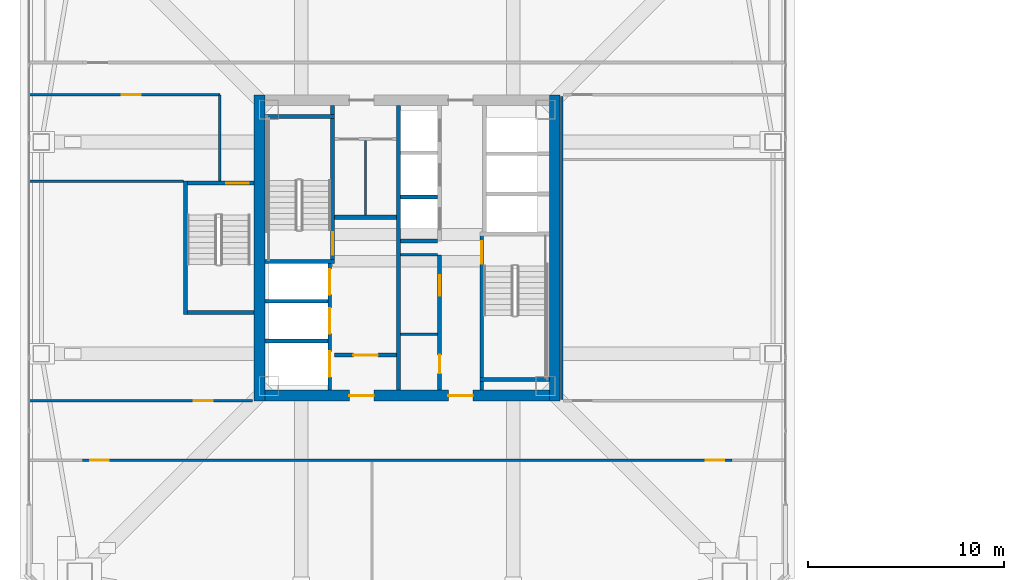
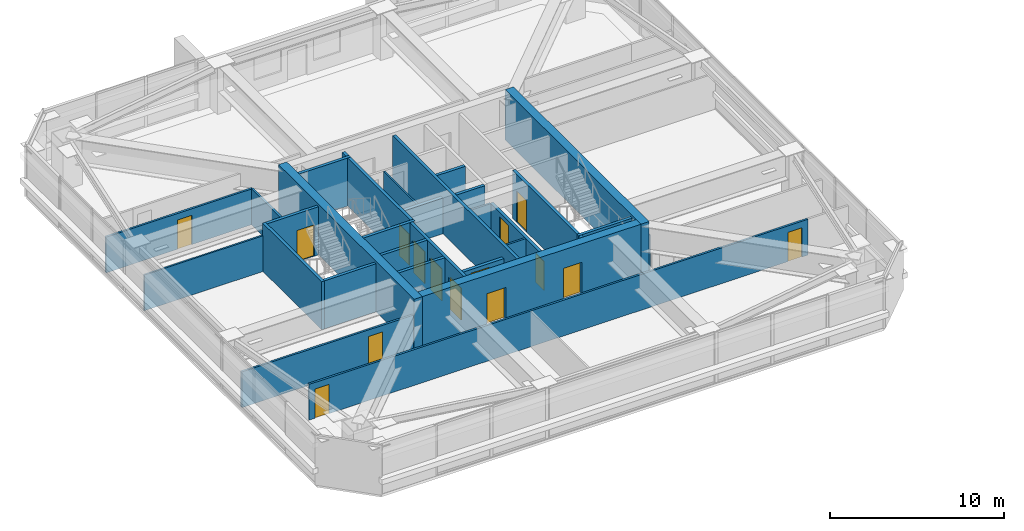
# One storey, part 32 of 42: 29 walls, 15 doors, 15 openings.
"""IFC4 building model written with IfcOpenShell, lengths in metres."""

import ifcopenshell
import ifcopenshell.guid

model = None  # the IFC model being written
_history = None  # IfcOwnerHistory: only IFC2X3 demands one
_inside = {}  # id of a spatial element -> (the spatial element, [elements in it])
_under = {}  # id of a project, library or spatial element -> (it, [spatial elements below it])
_declared = {}  # id of a project -> (the project, [libraries it declares])
_typed = {}  # id of a type object -> (the type object, [elements of that type])
_made_of = {}  # id of a material, layer set ... -> (it, [elements and type objects made of it])


def new_model(schema):
    """Start an empty IFC model of exactly this schema.

    Asked for "IFC4X3", IfcOpenShell would pick the latest addendum, in which some entities
    have other attributes; the version numbers below select the first issue.
    IFC2X3 requires an IfcOwnerHistory on every rooted entity: one is made here for all.
    """
    global model, _history
    if schema == "IFC4X3":
        model = ifcopenshell.file(schema_version=(4, 3, 0, 0))
    else:
        model = ifcopenshell.file(schema=schema)
    _inside.clear()
    _under.clear()
    _declared.clear()
    _typed.clear()
    _made_of.clear()
    _history = None
    if model.schema == "IFC2X3":
        org = make("IfcOrganization", Name="unknown")
        user = make(
            "IfcPersonAndOrganization",
            ThePerson=make("IfcPerson", FamilyName="unknown"),
            TheOrganization=org,
        )
        app = make(
            "IfcApplication",
            ApplicationDeveloper=org,
            Version="unknown",
            ApplicationFullName="unknown",
            ApplicationIdentifier="unknown",
        )
        _history = make(
            "IfcOwnerHistory",
            OwningUser=user,
            OwningApplication=app,
            ChangeAction="ADDED",
            CreationDate=0,
        )
    return model


def make(cls, **values):
    """One entity of the class cls with the attributes given. An attribute that is None is left unset."""
    return model.create_entity(
        cls, **{name: value for name, value in values.items() if value is not None}
    )


def rooted(cls, **values):
    """An entity with a GlobalId (a new one), such as an element, a storey or a relation."""
    return make(cls, GlobalId=ifcopenshell.guid.new(), OwnerHistory=_history, **values)


def si_unit(unit_type, name, prefix=None):
    """IfcSIUnit, for example si_unit("LENGTHUNIT", "METRE", prefix="MILLI")."""
    return make("IfcSIUnit", UnitType=unit_type, Prefix=prefix, Name=name)


def assignment(units):
    """IfcUnitAssignment: the units of a project."""
    return None if units is None else make("IfcUnitAssignment", Units=units)


def point(xyz):
    """IfcCartesianPoint."""
    return None if xyz is None else make("IfcCartesianPoint", Coordinates=xyz)


def direction(xyz):
    """IfcDirection."""
    return None if xyz is None else make("IfcDirection", DirectionRatios=xyz)


def frame(location, z_axis=None, x_axis=None):
    """IfcAxis2Placement3D, a coordinate frame: its origin and axes. An axis left out is left unset."""
    return make(
        "IfcAxis2Placement3D",
        Location=point(location),
        Axis=direction(z_axis),
        RefDirection=direction(x_axis),
    )


def frame_2d(location, x_axis=None):
    """IfcAxis2Placement2D, a coordinate frame in the plane: its origin and x axis."""
    return make(
        "IfcAxis2Placement2D", Location=point(location), RefDirection=direction(x_axis)
    )


def origin():
    """The frame at (0, 0, 0) with its axes left unset."""
    return frame((0.0, 0.0, 0.0))


def place(relative_to, where):
    """IfcLocalPlacement: puts the frame where relative to a parent placement (None: the world)."""
    return make(
        "IfcLocalPlacement", PlacementRelTo=relative_to, RelativePlacement=where
    )


def context(
    kind, dimensions, precision=None, world=None, true_north=None, identifier=None
):
    """IfcGeometricRepresentationContext, for example the 3D "Model" context."""
    return make(
        "IfcGeometricRepresentationContext",
        ContextIdentifier=identifier,
        ContextType=kind,
        CoordinateSpaceDimension=dimensions,
        Precision=precision,
        WorldCoordinateSystem=world,
        TrueNorth=true_north,
    )


def subcontext(parent, identifier, kind, view, scale=None):
    """IfcGeometricRepresentationSubContext, for example "Body" below "Model"."""
    return make(
        "IfcGeometricRepresentationSubContext",
        ContextIdentifier=identifier,
        ContextType=kind,
        ParentContext=parent,
        TargetScale=scale,
        TargetView=view,
    )


def project(units=None, contexts=None):
    """IfcProject with its units and contexts."""
    return rooted(
        "IfcProject",
        Name="project",
        RepresentationContexts=contexts,
        UnitsInContext=assignment(units),
    )


def spatial(cls, under=None, at=None, **own):
    """A site, building, storey or space (cls), placed at a placement, below another one or the project."""
    s = rooted(cls, ObjectPlacement=at, **own)
    if under is not None:
        _under.setdefault(under.id(), (under, []))[1].append(s)
    return s


def profile(cls, at=None, kind="AREA", **sizes):
    """A parametric profile (cls). Its sizes go by their IFC names, for example OverallWidth=200.0."""
    return make(cls, ProfileType=kind, Position=at, **sizes)


def rectangle(**sizes):
    """IfcRectangleProfileDef."""
    return profile("IfcRectangleProfileDef", **sizes)


def extrude(swept, where, along, depth):
    """IfcExtrudedAreaSolid: the profile swept, set in the frame where, extruded along a direction by depth."""
    return make(
        "IfcExtrudedAreaSolid",
        SweptArea=swept,
        Position=where,
        ExtrudedDirection=direction(along),
        Depth=depth,
    )


def shape(context_of_items, identifier, shape_type, items):
    """IfcShapeRepresentation: the items that make up one representation, for example the "Body"."""
    return make(
        "IfcShapeRepresentation",
        ContextOfItems=context_of_items,
        RepresentationIdentifier=identifier,
        RepresentationType=shape_type,
        Items=items,
    )


def material(Name=None, Category=None):
    """IfcMaterial."""
    return make("IfcMaterial", Name=Name, Category=Category)


def layer(
    of_material, thickness, ventilated=None, Name=None, Category=None, Priority=None
):
    """IfcMaterialLayer: one layer of a wall or slab, of a material (None: an air gap)."""
    return make(
        "IfcMaterialLayer",
        Material=of_material,
        LayerThickness=thickness,
        IsVentilated=ventilated,
        Name=Name,
        Category=Category,
        Priority=Priority,
    )


def layer_set(layers, Name=None):
    """IfcMaterialLayerSet."""
    return make("IfcMaterialLayerSet", MaterialLayers=layers, LayerSetName=Name)


def made_of(thing, what):
    """Note that an element or type object is made of a material, layer set ...; save() writes the relation."""
    if what is not None:
        _made_of.setdefault(what.id(), (what, []))[1].append(thing)
    return thing


def type_object(cls, material=None, **own):
    """A type object (cls), such as IfcWallType, which elements share."""
    return made_of(rooted(cls, **own), material)


def element(
    cls,
    number,
    at=None,
    inside=None,
    cuts=None,
    type_object=None,
    material=None,
    context=None,
    identifier="Body",
    shape_type=None,
    held_by="IfcProductDefinitionShape",
    body=None,
    shapes=None,
    **own,
):
    """One element of the class cls, such as IfcWall. Its Tag is "e" and its number.

    at: its placement. inside: the storey or other place that contains it. cuts: it is an
    opening in that element (IfcRelVoidsElement). A single representation is given by context,
    identifier, shape_type and body (its items); several are given by shapes. held_by: the class
    of the entity that holds the representations. save() writes the other relations.
    """
    e = rooted(cls, Tag="e%d" % number, ObjectPlacement=at, **own)
    if body is not None:
        shapes = [shape(context, identifier, shape_type, body)]
    if shapes is not None:
        e.Representation = make(held_by, Representations=shapes)
    if inside is not None:
        _inside.setdefault(inside.id(), (inside, []))[1].append(e)
    if cuts is not None:
        rooted(
            "IfcRelVoidsElement", RelatingBuildingElement=cuts, RelatedOpeningElement=e
        )
    if type_object is not None:
        _typed.setdefault(type_object.id(), (type_object, []))[1].append(e)
    return made_of(e, material)


def fill(opening, filler):
    """IfcRelFillsElement: the door or window that sits in an opening."""
    return rooted(
        "IfcRelFillsElement",
        RelatingOpeningElement=opening,
        RelatedBuildingElement=filler,
    )


def aggregate(whole, parts):
    """IfcRelAggregates: a whole, such as a stair, and the parts it consists of."""
    return rooted("IfcRelAggregates", RelatingObject=whole, RelatedObjects=parts)


def save(model, path):
    """Write the relations noted so far, then the file.

    IfcRelAggregates (storeys below a building ...), IfcRelContainedInSpatialStructure (elements
    in a storey), IfcRelDefinesByType, IfcRelAssociatesMaterial and IfcRelDeclares: one each for
    every whole, place, type object, material and project.
    """
    for whole, parts in _under.values():
        aggregate(whole, parts)
    for where, things in _inside.values():
        rooted(
            "IfcRelContainedInSpatialStructure",
            RelatedElements=things,
            RelatingStructure=where,
        )
    for kind, things in _typed.values():
        rooted("IfcRelDefinesByType", RelatedObjects=things, RelatingType=kind)
    for what, things in _made_of.values():
        rooted("IfcRelAssociatesMaterial", RelatedObjects=things, RelatingMaterial=what)
    for by, libraries in _declared.values():
        rooted("IfcRelDeclares", RelatingContext=by, RelatedDefinitions=libraries)
    model.write(path)


model = new_model("IFC4")

# Units and contexts
model_context = context("Model", 3, precision=1e-05, world=origin(), true_north=direction((0.0, 1.0)))
body_context = subcontext(model_context, "Body", "Model", "MODEL_VIEW")
ifc_project = project(units=[si_unit("LENGTHUNIT", "METRE"), si_unit("AREAUNIT", "SQUARE_METRE"), si_unit("VOLUMEUNIT", "CUBIC_METRE"), si_unit("PLANEANGLEUNIT", "RADIAN"), si_unit("MASSUNIT", "GRAM", prefix="KILO")], contexts=[model_context])

# Site, building, storey
site_placement = place(None, origin())
site = spatial("IfcSite", under=ifc_project, at=site_placement, CompositionType="ELEMENT")
building_placement = place(site_placement, origin())
building = spatial("IfcBuilding", under=site, at=building_placement, Name="Tashvorn Skyway Center", CompositionType="ELEMENT")
storey_placement = place(building_placement, frame((0.0, 0.0, 153.449951171875)))
storey = spatial("IfcBuildingStorey", under=building, at=storey_placement, Name="L41", CompositionType="ELEMENT", Elevation=153.449951171875)

# Walls
ifc_material_1 = material(Name="Concrete C60/75", Category="concrete")
ifc_layer_1 = layer(ifc_material_1, 0.550048828125)
ifc_layer_set_1 = layer_set([ifc_layer_1], Name="Concrete C60/75")
wall_type_1 = type_object("IfcWallType", Name="WALL-CORE-550", PredefinedType="SHEAR", material=ifc_layer_set_1)
for number, where, z_axis, x_axis, name in (
    (1, (34.47509765625, 24.199951171875, 0.0), (0.0, 0.0, 1.0), (0.0, 1.0, 0.0), "Tower 1 L41 West Core Shear Wall"),
    (2, (49.52490234375, 39.800048828125, 0.0), (0.0, 0.0, 1.0), (0.0, -1.0, 0.0), "Tower 1 L41 East Core Shear Wall"),
):
    element("IfcWall", number, at=place(storey_placement, frame(where, z_axis=z_axis, x_axis=x_axis)), inside=storey, type_object=wall_type_1, Name=name, PredefinedType="SHEAR", context=body_context, shape_type="SweptSolid", body=[
        extrude(rectangle(XDim=15.60009765625, YDim=0.550048828125, at=frame_2d((7.800048828125, 0.0))), origin(), (0.0, 0.0, 1.0), 3.550048828125),
    ])

# Wall, openings, doors
wall_1_placement = place(storey_placement, frame((49.25, 24.47509765625, 0.0), z_axis=(0.0, 0.0, 1.0), x_axis=(-1.0, 0.0, 0.0)))
wall_1 = element("IfcWall", 3, at=wall_1_placement, inside=storey, type_object=wall_type_1, Name="Tower 1 L41 South Core Shear Wall", PredefinedType="SHEAR", context=body_context, shape_type="SweptSolid", body=[
    extrude(rectangle(XDim=14.5, YDim=0.550048828125, at=frame_2d((7.25, 0.0))), origin(), (0.0, 0.0, 1.0), 3.550048828125),
])
opening_1_placement = place(wall_1_placement, frame((8.949951171875, 0.0, 0.0)))
opening_1 = element("IfcOpeningElement", 4, at=opening_1_placement, cuts=wall_1, Name="Opening D-FFL-1250", PredefinedType="OPENING", context=body_context, shape_type="SweptSolid", body=[
    extrude(rectangle(XDim=1.25, YDim=2.25, at=frame_2d((0.625, 1.125))), frame((0.0, 0.284912109375, 0.0), z_axis=(0.0, -1.0, 0.0), x_axis=(1.0, 0.0, 0.0)), (0.0, 0.0, 1.0), 0.570068359375),
])
opening_2_placement = place(wall_1_placement, frame((3.89990234375, 0.0, 0.0)))
opening_2 = element("IfcOpeningElement", 5, at=opening_2_placement, cuts=wall_1, Name="Opening D-FFL-1250", PredefinedType="OPENING", context=body_context, shape_type="SweptSolid", body=[
    extrude(rectangle(XDim=1.25, YDim=2.25, at=frame_2d((0.625, 1.125))), frame((0.0, 0.284912109375, 0.0), z_axis=(0.0, -1.0, 0.0), x_axis=(1.0, 0.0, 0.0)), (0.0, 0.0, 1.0), 0.570068359375),
])
ifc_material_2 = material(Name="Hollow galvanized steel fire door assembly", Category="steel")
door_type_1 = type_object("IfcDoorType", Name="DOOR-FFL-1250", OperationType="NOTDEFINED", PredefinedType="DOOR", material=ifc_material_2)
door_1_placement = place(opening_1_placement, origin())
door_1 = element("IfcDoor", 6, at=door_1_placement, inside=storey, type_object=door_type_1, Name="Tower 1 L41 Core South Firefighting Exit Door", OperationType="SINGLE_SWING_LEFT", OverallHeight=2.25, OverallWidth=1.25, PredefinedType="DOOR", context=body_context, shape_type="SweptSolid", body=[
    extrude(rectangle(XDim=1.25, YDim=2.25, at=frame_2d((0.625, 1.125))), frame((0.0, 0.02490234375, 0.0), z_axis=(0.0, -1.0, 0.0), x_axis=(1.0, 0.0, 0.0)), (0.0, 0.0, 1.0), 0.050048828125),
])
fill(opening_1, door_1)
door_2_placement = place(opening_2_placement, origin())
door_2 = element("IfcDoor", 7, at=door_2_placement, inside=storey, type_object=door_type_1, Name="Tower 1 L41 Core South Lift Lobby Door", OperationType="SINGLE_SWING_RIGHT", OverallHeight=2.25, OverallWidth=1.25, PredefinedType="DOOR", context=body_context, shape_type="SweptSolid", body=[
    extrude(rectangle(XDim=1.25, YDim=2.25, at=frame_2d((0.625, 1.125))), frame((0.0, 0.02490234375, 0.0), z_axis=(0.0, -1.0, 0.0), x_axis=(1.0, 0.0, 0.0)), (0.0, 0.0, 1.0), 0.050048828125),
])
fill(opening_2, door_2)

# Wall
ifc_material_3 = material(Name="Concrete C40/50", Category="concrete")
ifc_layer_2 = layer(ifc_material_3, 0.219970703125)
ifc_layer_set_2 = layer_set([ifc_layer_2], Name="Concrete C40/50")
wall_type_2 = type_object("IfcWallType", Name="WALL-FFL-220", PredefinedType="SOLIDWALL", material=ifc_layer_set_2)
wall_2_placement = place(storey_placement, frame((38.300048828125, 33.56005859375, 0.0), z_axis=(0.0, 0.0, 1.0), x_axis=(1.0, 0.0, 0.0)))
element("IfcWall", 8, at=wall_2_placement, inside=storey, type_object=wall_type_2, Name="Tower 1 L41 Firefighting Lobby North Wall", PredefinedType="SOLIDWALL", context=body_context, shape_type="SweptSolid", body=[
    extrude(rectangle(XDim=3.14990234375, YDim=0.219970703125, at=frame_2d((1.574951171875, 0.0))), origin(), (0.0, 0.0, 1.0), 2.512939453125),
])

# Wall, opening, door
wall_3_placement = place(storey_placement, frame((38.300048828125, 26.5400390625, 0.0), z_axis=(0.0, 0.0, 1.0), x_axis=(1.0, 0.0, 0.0)))
wall_3 = element("IfcWall", 9, at=wall_3_placement, inside=storey, type_object=wall_type_2, Name="Tower 1 L41 Firefighting Lobby South Wall", PredefinedType="SOLIDWALL", context=body_context, shape_type="SweptSolid", body=[
    extrude(rectangle(XDim=3.14990234375, YDim=0.219970703125, at=frame_2d((1.574951171875, 0.0))), origin(), (0.0, 0.0, 1.0), 2.512939453125),
])
opening_3_placement = place(wall_3_placement, frame((0.949951171875, 0.0, 0.0)))
opening_3 = element("IfcOpeningElement", 10, at=opening_3_placement, cuts=wall_3, Name="Opening D-FFL-1250", PredefinedType="OPENING", context=body_context, shape_type="SweptSolid", body=[
    extrude(rectangle(XDim=1.25, YDim=2.25, at=frame_2d((0.625, 1.125))), frame((0.0, 0.119873046875, 0.0), z_axis=(0.0, -1.0, 0.0), x_axis=(1.0, 0.0, 0.0)), (0.0, 0.0, 1.0), 0.239990234375),
])
door_3_placement = place(opening_3_placement, origin())
door_3 = element("IfcDoor", 11, at=door_3_placement, inside=storey, type_object=door_type_1, Name="Tower 1 L41 Firefighting Lobby Egress Door", OperationType="SINGLE_SWING_LEFT", OverallHeight=2.25, OverallWidth=1.25, PredefinedType="DOOR", context=body_context, shape_type="SweptSolid", body=[
    extrude(rectangle(XDim=1.25, YDim=2.25, at=frame_2d((0.625, 1.125))), frame((0.0, 0.02490234375, 0.0), z_axis=(0.0, -1.0, 0.0), x_axis=(1.0, 0.0, 0.0)), (0.0, 0.0, 1.0), 0.050048828125),
])
fill(opening_3, door_3)

# Walls
ifc_material_4 = material(Name="Gypsum board on cold-formed steel stud framing", Category="steel")
ifc_layer_3 = layer(ifc_material_4, 0.110107421875)
ifc_layer_set_3 = layer_set([ifc_layer_3], Name="Gypsum board on cold-formed steel stud framing")
wall_type_3 = type_object("IfcWallType", Name="WALL-PART-110", PredefinedType="PARTITIONING", material=ifc_layer_set_3)
wall_4_placement = place(storey_placement, frame((30.60009765625, 35.39990234375, 0.0), z_axis=(0.0, 0.0, 1.0), x_axis=(-1.0, 0.0, 0.0)))
element("IfcWall", 12, at=wall_4_placement, inside=storey, type_object=wall_type_3, Name="Tower 1 L41 West Suite Partition 1", PredefinedType="PARTITIONING", context=body_context, shape_type="SweptSolid", body=[
    extrude(rectangle(XDim=7.880126953125, YDim=0.110107421875, at=frame_2d((3.93994140625, 0.0))), origin(), (0.0, 0.0, 1.0), 2.512939453125),
])
ifc_layer_4 = layer(ifc_material_4, 0.135009765625)
ifc_layer_set_4 = layer_set([ifc_layer_4], Name="Gypsum board on cold-formed steel stud framing")
wall_type_4 = type_object("IfcWallType", Name="WALL-PART-135", PredefinedType="PARTITIONING", material=ifc_layer_set_4)
wall_5_placement = place(storey_placement, frame((32.449951171875, 35.39990234375, 0.0), z_axis=(0.0, 0.0, 1.0), x_axis=(0.0, 1.0, 0.0)))
element("IfcWall", 13, at=wall_5_placement, inside=storey, type_object=wall_type_4, Name="Tower 1 L41 Stair 3 Access Corridor Wall", PredefinedType="PARTITIONING", context=body_context, shape_type="SweptSolid", body=[
    extrude(rectangle(XDim=4.400146484375, YDim=0.135009765625, at=frame_2d((2.2001953125, 0.0))), origin(), (0.0, 0.0, 1.0), 2.512939453125),
])

# Wall, openings, doors
wall_6_placement = place(storey_placement, frame((58.550048828125, 21.179931640625, 0.0), z_axis=(0.0, 0.0, 1.0), x_axis=(-1.0, 0.0, 0.0)))
wall_6 = element("IfcWall", 14, at=wall_6_placement, inside=storey, type_object=wall_type_4, Name="Tower 1 L41 South Suite Wall", PredefinedType="PARTITIONING", context=body_context, shape_type="SweptSolid", body=[
    extrude(rectangle(XDim=33.10009765625, YDim=0.135009765625, at=frame_2d((16.550048828125, 0.0))), origin(), (0.0, 0.0, 1.0), 2.512939453125),
])
opening_4_placement = place(wall_6_placement, frame((31.77001953125, 0.0, 0.0)))
opening_4 = element("IfcOpeningElement", 15, at=opening_4_placement, cuts=wall_6, Name="Opening D-INT-950", PredefinedType="OPENING", context=body_context, shape_type="SweptSolid", body=[
    extrude(rectangle(XDim=0.949951171875, YDim=2.050048828125, at=frame_2d((0.47509765625, 1.02490234375))), frame((0.0, 0.077392578125, 0.0), z_axis=(0.0, -1.0, 0.0), x_axis=(1.0, 0.0, 0.0)), (0.0, 0.0, 1.0), 0.155029296875),
])
opening_5_placement = place(wall_6_placement, frame((0.3798828125, 0.0, 0.0)))
opening_5 = element("IfcOpeningElement", 16, at=opening_5_placement, cuts=wall_6, Name="Opening D-INT-950", PredefinedType="OPENING", context=body_context, shape_type="SweptSolid", body=[
    extrude(rectangle(XDim=0.949951171875, YDim=2.050048828125, at=frame_2d((0.47509765625, 1.02490234375))), frame((0.0, 0.077392578125, 0.0), z_axis=(0.0, -1.0, 0.0), x_axis=(1.0, 0.0, 0.0)), (0.0, 0.0, 1.0), 0.155029296875),
])
ifc_material_5 = material(Name="Solid-core architectural oak veneer door")
door_type_2 = type_object("IfcDoorType", Name="DOOR-INT-950", OperationType="NOTDEFINED", PredefinedType="DOOR", material=ifc_material_5)
door_4_placement = place(opening_4_placement, origin())
door_4 = element("IfcDoor", 17, at=door_4_placement, inside=storey, type_object=door_type_2, Name="Tower 1 L41 Executive Suite Door", OperationType="SINGLE_SWING_LEFT", OverallHeight=2.050048828125, OverallWidth=0.949951171875, PredefinedType="DOOR", context=body_context, shape_type="SweptSolid", body=[
    extrude(rectangle(XDim=0.949951171875, YDim=2.050048828125, at=frame_2d((0.47509765625, 1.02490234375))), frame((0.0, 0.02490234375, 0.0), z_axis=(0.0, -1.0, 0.0), x_axis=(1.0, 0.0, 0.0)), (0.0, 0.0, 1.0), 0.050048828125),
])
fill(opening_4, door_4)
door_5_placement = place(opening_5_placement, origin())
door_5 = element("IfcDoor", 18, at=door_5_placement, inside=storey, type_object=door_type_2, Name="Tower 1 L41 Design Studio Door", OperationType="SINGLE_SWING_RIGHT", OverallHeight=2.050048828125, OverallWidth=0.949951171875, PredefinedType="DOOR", context=body_context, shape_type="SweptSolid", body=[
    extrude(rectangle(XDim=0.949951171875, YDim=2.050048828125, at=frame_2d((0.47509765625, 1.02490234375))), frame((0.0, 0.02490234375, 0.0), z_axis=(0.0, -1.0, 0.0), x_axis=(1.0, 0.0, 0.0)), (0.0, 0.0, 1.0), 0.050048828125),
])
fill(opening_5, door_5)

# Wall
wall_7_placement = place(storey_placement, frame((49.8798828125, 39.719970703125, 0.0), z_axis=(0.0, 0.0, 1.0), x_axis=(0.0, -1.0, 0.0)))
element("IfcWall", 19, at=wall_7_placement, inside=storey, type_object=wall_type_4, Name="Tower 1 L41 East Inner Suite Wall", PredefinedType="PARTITIONING", context=body_context, shape_type="SweptSolid", body=[
    extrude(rectangle(XDim=15.43994140625, YDim=0.135009765625, at=frame_2d((7.719970703125, 0.0))), origin(), (0.0, 0.0, 1.0), 2.512939453125),
])

# Wall, opening, door
wall_8_placement = place(storey_placement, frame((32.449951171875, 39.800048828125, 0.0), z_axis=(0.0, 0.0, 1.0), x_axis=(-1.0, 0.0, 0.0)))
wall_8 = element("IfcWall", 20, at=wall_8_placement, inside=storey, type_object=wall_type_4, Name="Tower 1 L41 West Suite North Wall", PredefinedType="PARTITIONING", context=body_context, shape_type="SweptSolid", body=[
    extrude(rectangle(XDim=9.72998046875, YDim=0.135009765625, at=frame_2d((4.864990234375, 0.0))), origin(), (0.0, 0.0, 1.0), 2.512939453125),
])
opening_6_placement = place(wall_8_placement, frame((4.0400390625, 0.0, 0.0)))
opening_6 = element("IfcOpeningElement", 21, at=opening_6_placement, cuts=wall_8, Name="Opening D-INT-950", PredefinedType="OPENING", context=body_context, shape_type="SweptSolid", body=[
    extrude(rectangle(XDim=0.949951171875, YDim=2.050048828125, at=frame_2d((0.47509765625, 1.02490234375))), frame((0.0, 0.077392578125, 0.0), z_axis=(0.0, -1.0, 0.0), x_axis=(1.0, 0.0, 0.0)), (0.0, 0.0, 1.0), 0.155029296875),
])
door_6_placement = place(opening_6_placement, origin())
door_6 = element("IfcDoor", 22, at=door_6_placement, inside=storey, type_object=door_type_2, Name="Tower 1 L41 Security Control Room Door", OperationType="SINGLE_SWING_LEFT", OverallHeight=2.050048828125, OverallWidth=0.949951171875, PredefinedType="DOOR", context=body_context, shape_type="SweptSolid", body=[
    extrude(rectangle(XDim=0.949951171875, YDim=2.050048828125, at=frame_2d((0.47509765625, 1.02490234375))), frame((0.0, 0.02490234375, 0.0), z_axis=(0.0, -1.0, 0.0), x_axis=(1.0, 0.0, 0.0)), (0.0, 0.0, 1.0), 0.050048828125),
])
fill(opening_6, door_6)

wall_9_placement = place(storey_placement, frame((22.719970703125, 24.199951171875, 0.0), z_axis=(0.0, 0.0, 1.0), x_axis=(1.0, 0.0, 0.0)))
wall_9 = element("IfcWall", 23, at=wall_9_placement, inside=storey, type_object=wall_type_4, Name="Tower 1 L41 West Suite South Wall", PredefinedType="PARTITIONING", context=body_context, shape_type="SweptSolid", body=[
    extrude(rectangle(XDim=11.400146484375, YDim=0.135009765625, at=frame_2d((5.7001953125, 0.0))), origin(), (0.0, 0.0, 1.0), 2.512939453125),
])
opening_7_placement = place(wall_9_placement, frame((8.405029296875, 0.0, 0.0)))
opening_7 = element("IfcOpeningElement", 24, at=opening_7_placement, cuts=wall_9, Name="Opening D-INT-950", PredefinedType="OPENING", context=body_context, shape_type="SweptSolid", body=[
    extrude(rectangle(XDim=0.949951171875, YDim=2.050048828125, at=frame_2d((0.47509765625, 1.02490234375))), frame((0.0, 0.077392578125, 0.0), z_axis=(0.0, -1.0, 0.0), x_axis=(1.0, 0.0, 0.0)), (0.0, 0.0, 1.0), 0.155029296875),
])
door_7_placement = place(opening_7_placement, origin())
door_7 = element("IfcDoor", 25, at=door_7_placement, inside=storey, type_object=door_type_2, Name="Tower 1 L41 Public Restroom Door", OperationType="SINGLE_SWING_RIGHT", OverallHeight=2.050048828125, OverallWidth=0.949951171875, PredefinedType="DOOR", context=body_context, shape_type="SweptSolid", body=[
    extrude(rectangle(XDim=0.949951171875, YDim=2.050048828125, at=frame_2d((0.47509765625, 1.02490234375))), frame((0.0, 0.02490234375, 0.0), z_axis=(0.0, -1.0, 0.0), x_axis=(1.0, 0.0, 0.0)), (0.0, 0.0, 1.0), 0.050048828125),
])
fill(opening_7, door_7)

# Walls
ifc_layer_5 = layer(ifc_material_4, 0.110107421875)
ifc_layer_set_5 = layer_set([ifc_layer_5], Name="Gypsum board on cold-formed steel stud framing")
wall_type_5 = type_object("IfcWallType", Name="WALL-RATED-110", PredefinedType="PARTITIONING", material=ifc_layer_set_5)
wall_10_placement = place(storey_placement, frame((39.8798828125, 33.679931640625, 0.0), z_axis=(0.0, 0.0, 1.0), x_axis=(0.0, 1.0, 0.0)))
element("IfcWall", 26, at=wall_10_placement, inside=storey, type_object=wall_type_5, Name="Tower 1 L41 Core Split Partition", PredefinedType="PARTITIONING", context=body_context, shape_type="SweptSolid", body=[
    extrude(rectangle(XDim=3.800048828125, YDim=0.110107421875, at=frame_2d((1.89990234375, 0.0))), origin(), (0.0, 0.0, 1.0), 2.512939453125),
])
ifc_layer_6 = layer(ifc_material_4, 0.135009765625)
ifc_layer_set_6 = layer_set([ifc_layer_6], Name="Gypsum board on cold-formed steel stud framing")
wall_type_6 = type_object("IfcWallType", Name="WALL-RATED-135", PredefinedType="PARTITIONING", material=ifc_layer_set_6)
for number, where, z_axis, x_axis, name in (
    (27, (41.669921875, 31.64990234375, 0.0), (0.0, 0.0, 1.0), (1.0, 0.0, 0.0), "Tower 1 L41 Core Room Partition"),
    (28, (41.669921875, 27.60009765625, 0.0), (0.0, 0.0, 1.0), (1.0, 0.0, 0.0), "Tower 1 L41 Freed Core Partition"),
):
    element("IfcWall", number, at=place(storey_placement, frame(where, z_axis=z_axis, x_axis=x_axis)), inside=storey, type_object=wall_type_6, Name=name, PredefinedType="PARTITIONING", context=body_context, shape_type="SweptSolid", body=[
        extrude(rectangle(XDim=1.880126953125, YDim=0.135009765625, at=frame_2d((0.93994140625, 0.0))), origin(), (0.0, 0.0, 1.0), 2.512939453125),
    ])
ifc_layer_7 = layer(ifc_material_3, 0.199951171875)
ifc_layer_set_7 = layer_set([ifc_layer_7], Name="Concrete C40/50")
wall_type_7 = type_object("IfcWallType", Name="WALL-SHAFT-200", PredefinedType="SOLIDWALL", material=ifc_layer_set_7)
for number, where, z_axis, x_axis, name in (
    (29, (34.75, 27.25, 0.0), (0.0, 0.0, 1.0), (1.0, 0.0, 0.0), "Tower 1 L41 FSAE Shaft Divider"),
    (30, (34.75, 29.280029296875, 0.0), (0.0, 0.0, 1.0), (1.0, 0.0, 0.0), "Tower 1 L41 FSAE Shaft Divider"),
):
    element("IfcWall", number, at=place(storey_placement, frame(where, z_axis=z_axis, x_axis=x_axis)), inside=storey, type_object=wall_type_7, Name=name, PredefinedType="SOLIDWALL", context=body_context, shape_type="SweptSolid", body=[
        extrude(rectangle(XDim=3.199951171875, YDim=0.199951171875, at=frame_2d((1.60009765625, 0.0))), origin(), (0.0, 0.0, 1.0), 3.3701171875),
    ])

# Wall, openings, doors
wall_11_placement = place(storey_placement, frame((43.64990234375, 24.75, 0.0), z_axis=(0.0, 0.0, 1.0), x_axis=(0.0, 1.0, 0.0)))
wall_11 = element("IfcWall", 31, at=wall_11_placement, inside=storey, type_object=wall_type_7, Name="Tower 1 L41 Low-Rise Core Wall", PredefinedType="SOLIDWALL", context=body_context, shape_type="SweptSolid", body=[
    extrude(rectangle(XDim=6.89990234375, YDim=0.199951171875, at=frame_2d((3.449951171875, 0.0))), origin(), (0.0, 0.0, 1.0), 2.512939453125),
])
opening_8_placement = place(wall_11_placement, frame((0.85009765625, 0.0, 0.0)))
opening_8 = element("IfcOpeningElement", 32, at=opening_8_placement, cuts=wall_11, Name="Opening D-RT-950", PredefinedType="OPENING", context=body_context, shape_type="SweptSolid", body=[
    extrude(rectangle(XDim=0.949951171875, YDim=2.050048828125, at=frame_2d((0.47509765625, 1.02490234375))), frame((0.0, 0.10986328125, 0.0), z_axis=(0.0, -1.0, 0.0), x_axis=(1.0, 0.0, 0.0)), (0.0, 0.0, 1.0), 0.219970703125),
])
opening_9_placement = place(wall_11_placement, frame((4.800048828125, 0.0, 0.0)))
opening_9 = element("IfcOpeningElement", 33, at=opening_9_placement, cuts=wall_11, Name="Opening D-RT-1050", PredefinedType="OPENING", context=body_context, shape_type="SweptSolid", body=[
    extrude(rectangle(XDim=1.050048828125, YDim=2.199951171875, at=frame_2d((0.52490234375, 1.10009765625))), frame((0.0, 0.10986328125, 0.0), z_axis=(0.0, -1.0, 0.0), x_axis=(1.0, 0.0, 0.0)), (0.0, 0.0, 1.0), 0.219970703125),
])
door_type_3 = type_object("IfcDoorType", Name="DOOR-RATED-1050", OperationType="NOTDEFINED", PredefinedType="DOOR", material=ifc_material_2)
door_8_placement = place(opening_9_placement, origin())
door_8 = element("IfcDoor", 34, at=door_8_placement, inside=storey, type_object=door_type_3, Name="Tower 1 L41 Freed Core Room Door", OperationType="SINGLE_SWING_RIGHT", OverallHeight=2.199951171875, OverallWidth=1.050048828125, PredefinedType="DOOR", context=body_context, shape_type="SweptSolid", body=[
    extrude(rectangle(XDim=1.050048828125, YDim=2.199951171875, at=frame_2d((0.52490234375, 1.10009765625))), frame((0.0, 0.02490234375, 0.0), z_axis=(0.0, -1.0, 0.0), x_axis=(1.0, 0.0, 0.0)), (0.0, 0.0, 1.0), 0.050048828125),
])
fill(opening_9, door_8)
door_type_4 = type_object("IfcDoorType", Name="DOOR-RATED-950", OperationType="NOTDEFINED", PredefinedType="DOOR", material=ifc_material_2)
door_9_placement = place(opening_8_placement, origin())
door_9 = element("IfcDoor", 35, at=door_9_placement, inside=storey, type_object=door_type_4, Name="Tower 1 L41 Core Print Room Door", OperationType="SINGLE_SWING_LEFT", OverallHeight=2.050048828125, OverallWidth=0.949951171875, PredefinedType="DOOR", context=body_context, shape_type="SweptSolid", body=[
    extrude(rectangle(XDim=0.949951171875, YDim=2.050048828125, at=frame_2d((0.47509765625, 1.02490234375))), frame((0.0, 0.02490234375, 0.0), z_axis=(0.0, -1.0, 0.0), x_axis=(1.0, 0.0, 0.0)), (0.0, 0.0, 1.0), 0.050048828125),
])
fill(opening_8, door_9)

# Walls
for number, where, z_axis, x_axis, name in (
    (36, (41.669921875, 32.35009765625, 0.0), (0.0, 0.0, 1.0), (1.0, 0.0, 0.0), "Tower 1 L41 Mid-Rise Shaft Divider"),
    (37, (41.669921875, 34.60009765625, 0.0), (0.0, 0.0, 1.0), (1.0, 0.0, 0.0), "Tower 1 L41 Mid-Rise Shaft Divider"),
):
    element("IfcWall", number, at=place(storey_placement, frame(where, z_axis=z_axis, x_axis=x_axis)), inside=storey, type_object=wall_type_7, Name=name, PredefinedType="SOLIDWALL", context=body_context, shape_type="SweptSolid", body=[
        extrude(rectangle(XDim=1.880126953125, YDim=0.199951171875, at=frame_2d((0.93994140625, 0.0))), origin(), (0.0, 0.0, 1.0), 3.3701171875),
    ])

# Wall, opening, door
ifc_layer_8 = layer(ifc_material_3, 0.199951171875)
ifc_layer_set_8 = layer_set([ifc_layer_8], Name="Concrete C40/50")
wall_type_8 = type_object("IfcWallType", Name="WALL-STSHF-200", PredefinedType="SHEAR", material=ifc_layer_set_8)
wall_12_placement = place(storey_placement, frame((38.199951171875, 31.199951171875, 0.0), z_axis=(0.0, 0.0, 1.0), x_axis=(0.0, 1.0, 0.0)))
wall_12 = element("IfcWall", 38, at=wall_12_placement, inside=storey, type_object=wall_type_8, Name="Tower 1 L41 Stair 1 Enclosure Wall", PredefinedType="SHEAR", context=body_context, shape_type="SweptSolid", body=[
    extrude(rectangle(XDim=8.050048828125, YDim=0.199951171875, at=frame_2d((4.02490234375, 0.0))), origin(), (0.0, 0.0, 1.0), 3.3701171875),
])
opening_10_placement = place(wall_12_placement, frame((0.449951171875, 0.0, 0.0)))
opening_10 = element("IfcOpeningElement", 39, at=opening_10_placement, cuts=wall_12, Name="Opening D-ST-1150", PredefinedType="OPENING", context=body_context, shape_type="SweptSolid", body=[
    extrude(rectangle(XDim=1.14990234375, YDim=2.199951171875, at=frame_2d((0.574951171875, 1.10009765625))), frame((0.0, 0.10986328125, 0.0), z_axis=(0.0, -1.0, 0.0), x_axis=(1.0, 0.0, 0.0)), (0.0, 0.0, 1.0), 0.219970703125),
])
door_type_5 = type_object("IfcDoorType", Name="DOOR-STAIR-1150", OperationType="NOTDEFINED", PredefinedType="DOOR", material=ifc_material_2)
door_10_placement = place(opening_10_placement, origin())
door_10 = element("IfcDoor", 40, at=door_10_placement, inside=storey, type_object=door_type_5, Name="Tower 1 L41 Exit Stair 1 Door", OperationType="SINGLE_SWING_RIGHT", OverallHeight=2.199951171875, OverallWidth=1.14990234375, PredefinedType="DOOR", context=body_context, shape_type="SweptSolid", body=[
    extrude(rectangle(XDim=1.14990234375, YDim=2.199951171875, at=frame_2d((0.574951171875, 1.10009765625))), frame((0.0, 0.02490234375, 0.0), z_axis=(0.0, -1.0, 0.0), x_axis=(1.0, 0.0, 0.0)), (0.0, 0.0, 1.0), 0.050048828125),
])
fill(opening_10, door_10)

# Walls
for number, where, z_axis, x_axis, name in (
    (41, (34.75, 31.300048828125, 0.0), (0.0, 0.0, 1.0), (1.0, 0.0, 0.0), "Tower 1 L41 Stair 1 South Wall"),
    (42, (34.75, 38.699951171875, 0.0), (0.0, 0.0, 1.0), (1.0, 0.0, 0.0), "Tower 1 L41 Stair 1 North Wall"),
):
    element("IfcWall", number, at=place(storey_placement, frame(where, z_axis=z_axis, x_axis=x_axis)), inside=storey, type_object=wall_type_8, Name=name, PredefinedType="SHEAR", context=body_context, shape_type="SweptSolid", body=[
        extrude(rectangle(XDim=3.550048828125, YDim=0.199951171875, at=frame_2d((1.77490234375, 0.0))), origin(), (0.0, 0.0, 1.0), 3.3701171875),
    ])

# Wall, opening, door
wall_13_placement = place(storey_placement, frame((45.800048828125, 32.800048828125, 0.0), z_axis=(0.0, 0.0, 1.0), x_axis=(0.0, -1.0, 0.0)))
wall_13 = element("IfcWall", 43, at=wall_13_placement, inside=storey, type_object=wall_type_8, Name="Tower 1 L41 Stair 2 Enclosure Wall", PredefinedType="SHEAR", context=body_context, shape_type="SweptSolid", body=[
    extrude(rectangle(XDim=8.050048828125, YDim=0.199951171875, at=frame_2d((4.02490234375, 0.0))), origin(), (0.0, 0.0, 1.0), 3.3701171875),
])
opening_11_placement = place(wall_13_placement, frame((0.449951171875, 0.0, 0.0)))
opening_11 = element("IfcOpeningElement", 44, at=opening_11_placement, cuts=wall_13, Name="Opening D-ST-1150", PredefinedType="OPENING", context=body_context, shape_type="SweptSolid", body=[
    extrude(rectangle(XDim=1.14990234375, YDim=2.199951171875, at=frame_2d((0.574951171875, 1.10009765625))), frame((0.0, 0.10986328125, 0.0), z_axis=(0.0, -1.0, 0.0), x_axis=(1.0, 0.0, 0.0)), (0.0, 0.0, 1.0), 0.219970703125),
])
door_11_placement = place(opening_11_placement, origin())
door_11 = element("IfcDoor", 45, at=door_11_placement, inside=storey, type_object=door_type_5, Name="Tower 1 L41 Exit Stair 2 Door", OperationType="SINGLE_SWING_RIGHT", OverallHeight=2.199951171875, OverallWidth=1.14990234375, PredefinedType="DOOR", context=body_context, shape_type="SweptSolid", body=[
    extrude(rectangle(XDim=1.14990234375, YDim=2.199951171875, at=frame_2d((0.574951171875, 1.10009765625))), frame((0.0, 0.02490234375, 0.0), z_axis=(0.0, -1.0, 0.0), x_axis=(1.0, 0.0, 0.0)), (0.0, 0.0, 1.0), 0.050048828125),
])
fill(opening_11, door_11)

# Walls
wall_14_placement = place(storey_placement, frame((45.699951171875, 25.300048828125, 0.0), z_axis=(0.0, 0.0, 1.0), x_axis=(1.0, 0.0, 0.0)))
element("IfcWall", 46, at=wall_14_placement, inside=storey, type_object=wall_type_8, Name="Tower 1 L41 Stair 2 South Wall", PredefinedType="SHEAR", context=body_context, shape_type="SweptSolid", body=[
    extrude(rectangle(XDim=3.550048828125, YDim=0.199951171875, at=frame_2d((1.77490234375, 0.0))), origin(), (0.0, 0.0, 1.0), 3.3701171875),
])
wall_15_placement = place(storey_placement, frame((41.56005859375, 24.75, 0.0), z_axis=(0.0, 0.0, 1.0), x_axis=(0.0, 1.0, 0.0)))
element("IfcWall", 47, at=wall_15_placement, inside=storey, type_object=wall_type_8, Name="Tower 1 L41 Firefighting Lobby East Smoke Barrier", PredefinedType="SHEAR", context=body_context, shape_type="SweptSolid", body=[
    extrude(rectangle(XDim=14.5, YDim=0.199951171875, at=frame_2d((7.25, 0.0))), origin(), (0.0, 0.0, 1.0), 3.3701171875),
])

# Wall, openings, doors
wall_16_placement = place(storey_placement, frame((38.050048828125, 24.75, 0.0), z_axis=(0.0, 0.0, 1.0), x_axis=(0.0, 1.0, 0.0)))
wall_16 = element("IfcWall", 48, at=wall_16_placement, inside=storey, type_object=wall_type_8, Name="Tower 1 L41 FSAE and Goods Shaft Front Wall", PredefinedType="SHEAR", context=body_context, shape_type="SweptSolid", body=[
    extrude(rectangle(XDim=6.449951171875, YDim=0.199951171875, at=frame_2d((3.22509765625, 0.0))), origin(), (0.0, 0.0, 1.0), 3.3701171875),
])
opening_12_placement = place(wall_16_placement, frame((4.875, 0.0, 0.0)))
opening_12 = element("IfcOpeningElement", 49, at=opening_12_placement, cuts=wall_16, Name="Opening LD-FF-T1-1-L41", PredefinedType="OPENING", context=body_context, shape_type="SweptSolid", body=[
    extrude(rectangle(XDim=1.300048828125, YDim=2.25, at=frame_2d((0.64990234375, 1.125))), frame((0.0, 0.10986328125, 0.0), z_axis=(0.0, -1.0, 0.0), x_axis=(1.0, 0.0, 0.0)), (0.0, 0.0, 1.0), 0.219970703125),
])
opening_13_placement = place(wall_16_placement, frame((2.875, 0.0, 0.0)))
opening_13 = element("IfcOpeningElement", 50, at=opening_13_placement, cuts=wall_16, Name="Opening LD-FF-T1-2-L41", PredefinedType="OPENING", context=body_context, shape_type="SweptSolid", body=[
    extrude(rectangle(XDim=1.300048828125, YDim=2.25, at=frame_2d((0.64990234375, 1.125))), frame((0.0, 0.10986328125, 0.0), z_axis=(0.0, -1.0, 0.0), x_axis=(1.0, 0.0, 0.0)), (0.0, 0.0, 1.0), 0.219970703125),
])
opening_14_placement = place(wall_16_placement, frame((0.675048828125, 0.0, 0.0)))
opening_14 = element("IfcOpeningElement", 51, at=opening_14_placement, cuts=wall_16, Name="Opening LD-GD-T1-1-L41", PredefinedType="OPENING", context=body_context, shape_type="SweptSolid", body=[
    extrude(rectangle(XDim=1.300048828125, YDim=2.25, at=frame_2d((0.64990234375, 1.125))), frame((0.0, 0.10986328125, 0.0), z_axis=(0.0, -1.0, 0.0), x_axis=(1.0, 0.0, 0.0)), (0.0, 0.0, 1.0), 0.219970703125),
])
ifc_material_6 = material(Name="Stainless steel heavy-duty landing door", Category="steel")
door_type_6 = type_object("IfcDoorType", Name="DOOR-LIFT-1300", OperationType="SLIDING_TO_LEFT", PredefinedType="DOOR", material=ifc_material_6)
door_12_placement = place(opening_12_placement, origin())
door_12 = element("IfcDoor", 52, at=door_12_placement, inside=storey, type_object=door_type_6, Name="Lift FF-T1-1 L41 Landing Door", OperationType="SLIDING_TO_LEFT", OverallHeight=2.25, OverallWidth=1.300048828125, PredefinedType="DOOR", context=body_context, shape_type="SweptSolid", body=[
    extrude(rectangle(XDim=1.300048828125, YDim=2.25, at=frame_2d((0.64990234375, 1.125))), frame((0.0, 0.02490234375, 0.0), z_axis=(0.0, -1.0, 0.0), x_axis=(1.0, 0.0, 0.0)), (0.0, 0.0, 1.0), 0.050048828125),
])
fill(opening_12, door_12)
door_13_placement = place(opening_13_placement, origin())
door_13 = element("IfcDoor", 53, at=door_13_placement, inside=storey, type_object=door_type_6, Name="Lift FF-T1-2 L41 Landing Door", OperationType="SLIDING_TO_LEFT", OverallHeight=2.25, OverallWidth=1.300048828125, PredefinedType="DOOR", context=body_context, shape_type="SweptSolid", body=[
    extrude(rectangle(XDim=1.300048828125, YDim=2.25, at=frame_2d((0.64990234375, 1.125))), frame((0.0, 0.02490234375, 0.0), z_axis=(0.0, -1.0, 0.0), x_axis=(1.0, 0.0, 0.0)), (0.0, 0.0, 1.0), 0.050048828125),
])
fill(opening_13, door_13)
door_14_placement = place(opening_14_placement, origin())
door_14 = element("IfcDoor", 54, at=door_14_placement, inside=storey, type_object=door_type_6, Name="Lift GD-T1-1 L41 Landing Door", OperationType="SLIDING_TO_LEFT", OverallHeight=2.25, OverallWidth=1.300048828125, PredefinedType="DOOR", context=body_context, shape_type="SweptSolid", body=[
    extrude(rectangle(XDim=1.300048828125, YDim=2.25, at=frame_2d((0.64990234375, 1.125))), frame((0.0, 0.02490234375, 0.0), z_axis=(0.0, -1.0, 0.0), x_axis=(1.0, 0.0, 0.0)), (0.0, 0.0, 1.0), 0.050048828125),
])
fill(opening_14, door_14)

# Wall
wall_17_placement = place(storey_placement, frame((30.699951171875, 28.60009765625, 0.0), z_axis=(0.0, 0.0, 1.0), x_axis=(0.0, 1.0, 0.0)))
element("IfcWall", 55, at=wall_17_placement, inside=storey, type_object=wall_type_8, Name="Tower 1 L41 Stair 3 Outer Wall", PredefinedType="SHEAR", context=body_context, shape_type="SweptSolid", body=[
    extrude(rectangle(XDim=6.7998046875, YDim=0.199951171875, at=frame_2d((3.39990234375, 0.0))), origin(), (0.0, 0.0, 1.0), 3.3701171875),
])

# Wall, opening, door
wall_18_placement = place(storey_placement, frame((34.199951171875, 35.300048828125, 0.0), z_axis=(0.0, 0.0, 1.0), x_axis=(-1.0, 0.0, 0.0)))
wall_18 = element("IfcWall", 56, at=wall_18_placement, inside=storey, type_object=wall_type_8, Name="Tower 1 L41 Stair 3 Enclosure Wall", PredefinedType="SHEAR", context=body_context, shape_type="SweptSolid", body=[
    extrude(rectangle(XDim=3.39990234375, YDim=0.199951171875, at=frame_2d((1.699951171875, 0.0))), origin(), (0.0, 0.0, 1.0), 3.3701171875),
])
opening_15_placement = place(wall_18_placement, frame((0.27490234375, 0.0, 0.0)))
opening_15 = element("IfcOpeningElement", 57, at=opening_15_placement, cuts=wall_18, Name="Opening D-ST-1150", PredefinedType="OPENING", context=body_context, shape_type="SweptSolid", body=[
    extrude(rectangle(XDim=1.14990234375, YDim=2.199951171875, at=frame_2d((0.574951171875, 1.10009765625))), frame((0.0, 0.10986328125, 0.0), z_axis=(0.0, -1.0, 0.0), x_axis=(1.0, 0.0, 0.0)), (0.0, 0.0, 1.0), 0.219970703125),
])
door_15_placement = place(opening_15_placement, origin())
door_15 = element("IfcDoor", 58, at=door_15_placement, inside=storey, type_object=door_type_5, Name="Tower 1 L41 Exit Stair 3 Door", OperationType="SINGLE_SWING_RIGHT", OverallHeight=2.199951171875, OverallWidth=1.14990234375, PredefinedType="DOOR", context=body_context, shape_type="SweptSolid", body=[
    extrude(rectangle(XDim=1.14990234375, YDim=2.199951171875, at=frame_2d((0.574951171875, 1.10009765625))), frame((0.0, 0.02490234375, 0.0), z_axis=(0.0, -1.0, 0.0), x_axis=(1.0, 0.0, 0.0)), (0.0, 0.0, 1.0), 0.050048828125),
])
fill(opening_15, door_15)

# Wall
wall_19_placement = place(storey_placement, frame((30.800048828125, 28.699951171875, 0.0), z_axis=(0.0, 0.0, 1.0), x_axis=(1.0, 0.0, 0.0)))
element("IfcWall", 59, at=wall_19_placement, inside=storey, type_object=wall_type_8, Name="Tower 1 L41 Stair 3 South Wall", PredefinedType="SHEAR", context=body_context, shape_type="SweptSolid", body=[
    extrude(rectangle(XDim=3.39990234375, YDim=0.199951171875, at=frame_2d((1.699951171875, 0.0))), origin(), (0.0, 0.0, 1.0), 3.3701171875),
])

save(model, "model.ifc")
